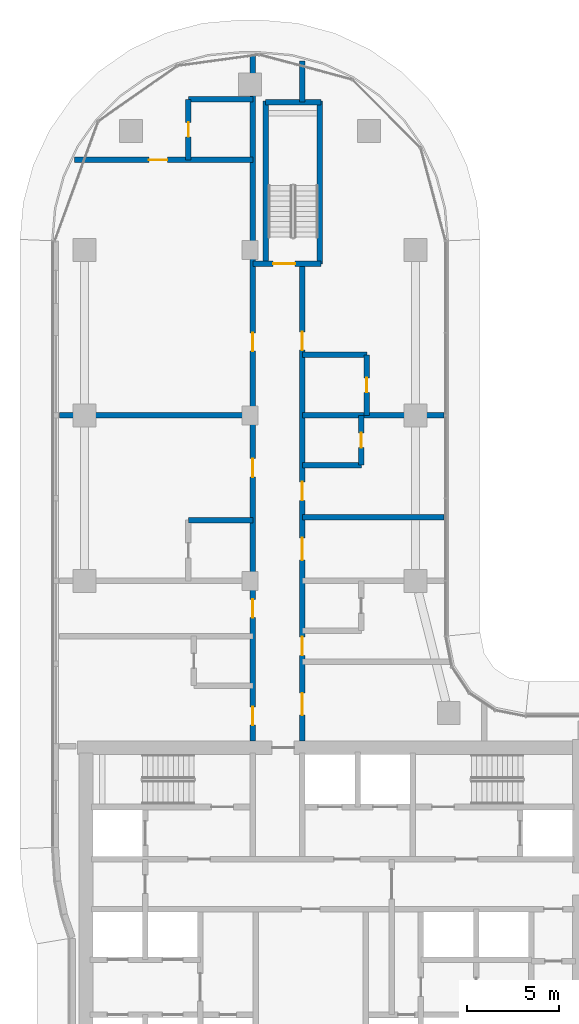
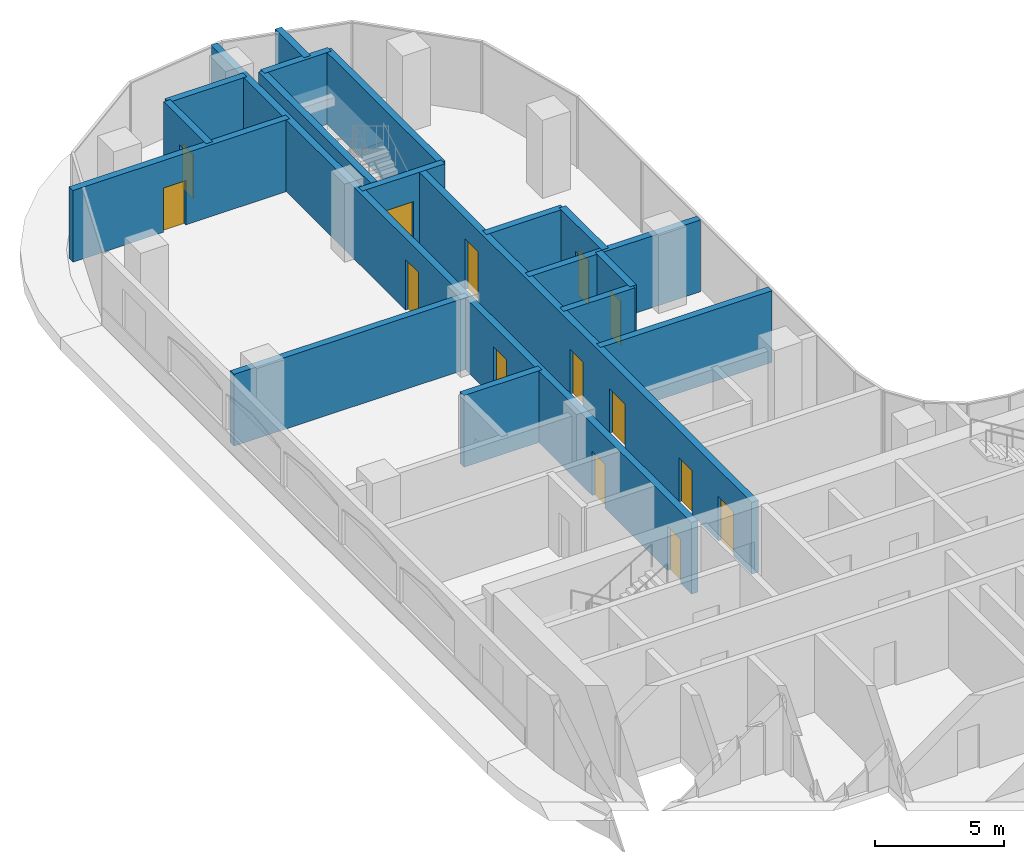
# One storey, part 13 of 25: 18 walls, 14 doors, 14 openings.
"""IFC4 building model written with IfcOpenShell, lengths in metres."""

from ifc_helpers import new_model, si_unit, direction, frame, frame_2d, origin, place, context, subcontext, project, spatial, rectangle, extrude, material, layer, layer_set, type_object, element, fill, save


model = new_model("IFC4")

# Units and contexts
model_context = context("Model", 3, precision=1e-05, world=origin(), true_north=direction((0.0, 1.0)))
body_context = subcontext(model_context, "Body", "Model", "MODEL_VIEW")
ifc_project = project(units=[si_unit("LENGTHUNIT", "METRE"), si_unit("AREAUNIT", "SQUARE_METRE"), si_unit("VOLUMEUNIT", "CUBIC_METRE"), si_unit("PLANEANGLEUNIT", "RADIAN"), si_unit("MASSUNIT", "GRAM", prefix="KILO")], contexts=[model_context])

# Site, building, storey
site_placement = place(None, origin())
site = spatial("IfcSite", under=ifc_project, at=site_placement, CompositionType="ELEMENT")
building_placement = place(site_placement, origin())
building = spatial("IfcBuilding", under=site, at=building_placement, Name="Ogive Portal Towers", CompositionType="ELEMENT")
storey_placement = place(building_placement, frame((0.0, 0.0, 124.10009765625)))
storey = spatial("IfcBuildingStorey", under=building, at=storey_placement, Name="L30", CompositionType="ELEMENT", Elevation=124.10009765625)

# Wall, opening, door
ifc_material_1 = material(Name="Concrete C50/60", Category="concrete")
ifc_layer_1 = layer(ifc_material_1, 0.300048828125)
ifc_layer_set_1 = layer_set([ifc_layer_1], Name="STAIR WALL 300 C50")
wall_type_1 = type_object("IfcWallType", Name="STAIR WALL 300 C50", PredefinedType="SHEAR", material=ifc_layer_set_1)
wall_1_placement = place(storey_placement, frame((40.64990234375, 65.75, 0.0), z_axis=(0.0, 0.0, 1.0), x_axis=(1.0, 0.0, 0.0)))
wall_1 = element("IfcWall", 1, at=wall_1_placement, inside=storey, type_object=wall_type_1, Name="Stair wall ST-A3 L30", PredefinedType="SHEAR", context=body_context, shape_type="SweptSolid", body=[
    extrude(rectangle(XDim=3.7001953125, YDim=0.300048828125, at=frame_2d((1.85009765625, 0.0))), origin(), (0.0, 0.0, 1.0), 3.39990234375),
])
opening_1_placement = place(wall_1_placement, frame((1.10009765625, 0.0, 0.0)))
opening_1 = element("IfcOpeningElement", 2, at=opening_1_placement, cuts=wall_1, Name="Opening D11-065", PredefinedType="OPENING", context=body_context, shape_type="SweptSolid", body=[
    extrude(rectangle(XDim=1.199951171875, YDim=2.10009765625, at=frame_2d((0.60009765625, 1.050048828125))), frame((0.0, 0.16015625, 0.0), z_axis=(0.0, -1.0, 0.0), x_axis=(1.0, 0.0, 0.0)), (0.0, 0.0, 1.0), 0.320068359375),
])
ifc_material_2 = material(Name="Steel fire door", Category="steel")
door_type_1 = type_object("IfcDoorType", Name="DT-STAIR-1200x2100-FD90S", OperationType="SINGLE_SWING_LEFT", PredefinedType="DOOR", material=ifc_material_2)
door_1_placement = place(opening_1_placement, origin())
door_1 = element("IfcDoor", 3, at=door_1_placement, inside=storey, type_object=door_type_1, Name="Door D11-065", OperationType="SINGLE_SWING_RIGHT", OverallHeight=2.10009765625, OverallWidth=1.199951171875, PredefinedType="DOOR", context=body_context, shape_type="SweptSolid", body=[
    extrude(rectangle(XDim=1.199951171875, YDim=2.10009765625, at=frame_2d((0.60009765625, 1.050048828125))), frame((0.0, 0.02490234375, 0.0), z_axis=(0.0, -1.0, 0.0), x_axis=(1.0, 0.0, 0.0)), (0.0, 0.0, 1.0), 0.050048828125),
])
fill(opening_1, door_1)

# Walls
wall_2_placement = place(storey_placement, frame((41.35009765625, 74.550048828125, 0.0), z_axis=(0.0, 0.0, 1.0), x_axis=(1.0, 0.0, 0.0)))
element("IfcWall", 4, at=wall_2_placement, inside=storey, type_object=wall_type_1, Name="Stair wall ST-A3 L30", PredefinedType="SHEAR", context=body_context, shape_type="SweptSolid", body=[
    extrude(rectangle(XDim=3.0, YDim=0.300048828125, at=frame_2d((1.5, 0.0))), origin(), (0.0, 0.0, 1.0), 3.39990234375),
])
for number, where, z_axis, x_axis, name in (
    (5, (41.35009765625, 65.75, 0.0), (0.0, 0.0, 1.0), (0.0, 1.0, 0.0), "Stair wall ST-A3 L30"),
    (6, (44.300048828125, 65.75, 0.0), (0.0, 0.0, 1.0), (0.0, 1.0, 0.0), "Stair wall ST-A3 L30"),
):
    element("IfcWall", number, at=place(storey_placement, frame(where, z_axis=z_axis, x_axis=x_axis)), inside=storey, type_object=wall_type_1, Name=name, PredefinedType="SHEAR", context=body_context, shape_type="SweptSolid", body=[
        extrude(rectangle(XDim=8.85009765625, YDim=0.300048828125, at=frame_2d((4.425048828125, 0.0))), origin(), (0.0, 0.0, 1.0), 3.39990234375),
    ])
ifc_material_3 = material(Name="Gypsum board partition on steel studs", Category="steel")
ifc_layer_2 = layer(ifc_material_3, 0.300048828125)
ifc_layer_set_2 = layer_set([ifc_layer_2], Name="WT-PART-300-EI 60")
wall_type_2 = type_object("IfcWallType", Name="WT-PART-300-EI 60", PredefinedType="PARTITIONING", material=ifc_layer_set_2)
wall_3_placement = place(storey_placement, frame((37.14990234375, 51.800048828125, 0.0), z_axis=(0.0, 0.0, 1.0), x_axis=(1.0, 0.0, 0.0)))
element("IfcWall", 7, at=wall_3_placement, inside=storey, type_object=wall_type_2, Name="Wall L30:w022", PredefinedType="PARTITIONING", context=body_context, shape_type="SweptSolid", body=[
    extrude(rectangle(XDim=3.5, YDim=0.300048828125, at=frame_2d((1.75, 0.0))), origin(), (0.0, 0.0, 1.0), 3.39990234375),
])
wall_4_placement = place(storey_placement, frame((43.35009765625, 51.969970703125, 0.0), z_axis=(0.0, 0.0, 1.0), x_axis=(1.0, 0.0, 0.0)))
element("IfcWall", 8, at=wall_4_placement, inside=storey, type_object=wall_type_2, Name="Wall L30:w023", PredefinedType="PARTITIONING", context=body_context, shape_type="SweptSolid", body=[
    extrude(rectangle(XDim=7.69482421875, YDim=0.300048828125, at=frame_2d((3.847412109375, 0.0))), origin(), (0.0, 0.0, 1.0), 3.39990234375),
])
wall_5_placement = place(storey_placement, frame((43.35009765625, 54.800048828125, 0.0), z_axis=(0.0, 0.0, 1.0), x_axis=(1.0, 0.0, 0.0)))
element("IfcWall", 9, at=wall_5_placement, inside=storey, type_object=wall_type_2, Name="Wall L30:w024", PredefinedType="PARTITIONING", context=body_context, shape_type="SweptSolid", body=[
    extrude(rectangle(XDim=3.199951171875, YDim=0.300048828125, at=frame_2d((1.60009765625, 0.0))), origin(), (0.0, 0.0, 1.0), 3.39990234375),
])
wall_6_placement = place(storey_placement, frame((30.135009765625, 57.5, 0.0), z_axis=(0.0, 0.0, 1.0), x_axis=(1.0, 0.0, 0.0)))
element("IfcWall", 10, at=wall_6_placement, inside=storey, type_object=wall_type_2, Name="Wall L30:w025", PredefinedType="PARTITIONING", context=body_context, shape_type="SweptSolid", body=[
    extrude(rectangle(XDim=10.514892578125, YDim=0.300048828125, at=frame_2d((5.25732421875, 0.0))), origin(), (0.0, 0.0, 1.0), 3.39990234375),
])
wall_7_placement = place(storey_placement, frame((43.35009765625, 57.5, 0.0), z_axis=(0.0, 0.0, 1.0), x_axis=(1.0, 0.0, 0.0)))
element("IfcWall", 11, at=wall_7_placement, inside=storey, type_object=wall_type_2, Name="Wall L30:w026", PredefinedType="PARTITIONING", context=body_context, shape_type="SweptSolid", body=[
    extrude(rectangle(XDim=7.69482421875, YDim=0.300048828125, at=frame_2d((3.847412109375, 0.0))), origin(), (0.0, 0.0, 1.0), 3.39990234375),
])
wall_8_placement = place(storey_placement, frame((43.35009765625, 60.800048828125, 0.0), z_axis=(0.0, 0.0, 1.0), x_axis=(1.0, 0.0, 0.0)))
element("IfcWall", 12, at=wall_8_placement, inside=storey, type_object=wall_type_2, Name="Wall L30:w027", PredefinedType="PARTITIONING", context=body_context, shape_type="SweptSolid", body=[
    extrude(rectangle(XDim=3.5, YDim=0.300048828125, at=frame_2d((1.75, 0.0))), origin(), (0.0, 0.0, 1.0), 3.39990234375),
])

# Wall, opening, door
wall_9_placement = place(storey_placement, frame((30.944091796875, 71.39990234375, 0.0), z_axis=(0.0, 0.0, 1.0), x_axis=(1.0, 0.0, 0.0)))
wall_9 = element("IfcWall", 13, at=wall_9_placement, inside=storey, type_object=wall_type_2, Name="Wall L30:w029", PredefinedType="PARTITIONING", context=body_context, shape_type="SweptSolid", body=[
    extrude(rectangle(XDim=9.705810546875, YDim=0.300048828125, at=frame_2d((4.85302734375, 0.0))), origin(), (0.0, 0.0, 1.0), 3.39990234375),
])
opening_2_placement = place(wall_9_placement, frame((4.055908203125, 0.0, 0.0)))
opening_2 = element("IfcOpeningElement", 14, at=opening_2_placement, cuts=wall_9, Name="Opening D11-059", PredefinedType="OPENING", context=body_context, shape_type="SweptSolid", body=[
    extrude(rectangle(XDim=1.0, YDim=2.10009765625, at=frame_2d((0.5, 1.050048828125))), frame((0.0, 0.16015625, 0.0), z_axis=(0.0, -1.0, 0.0), x_axis=(1.0, 0.0, 0.0)), (0.0, 0.0, 1.0), 0.320068359375),
])
door_type_2 = type_object("IfcDoorType", Name="DT-ENTRY-1000x2100-FD60S", OperationType="SINGLE_SWING_LEFT", PredefinedType="DOOR", material=ifc_material_2)
door_2_placement = place(opening_2_placement, origin())
door_2 = element("IfcDoor", 15, at=door_2_placement, inside=storey, type_object=door_type_2, Name="Door D11-059", OperationType="SINGLE_SWING_RIGHT", OverallHeight=2.10009765625, OverallWidth=1.0, PredefinedType="DOOR", context=body_context, shape_type="SweptSolid", body=[
    extrude(rectangle(XDim=1.0, YDim=2.10009765625, at=frame_2d((0.5, 1.050048828125))), frame((0.0, 0.02490234375, 0.0), z_axis=(0.0, -1.0, 0.0), x_axis=(1.0, 0.0, 0.0)), (0.0, 0.0, 1.0), 0.050048828125),
])
fill(opening_2, door_2)

# Wall
wall_10_placement = place(storey_placement, frame((37.14990234375, 74.699951171875, 0.0), z_axis=(0.0, 0.0, 1.0), x_axis=(1.0, 0.0, 0.0)))
element("IfcWall", 16, at=wall_10_placement, inside=storey, type_object=wall_type_2, Name="Wall L30:w031", PredefinedType="PARTITIONING", context=body_context, shape_type="SweptSolid", body=[
    extrude(rectangle(XDim=3.5, YDim=0.300048828125, at=frame_2d((1.75, 0.0))), origin(), (0.0, 0.0, 1.0), 3.39990234375),
])

# Wall, opening, door
wall_11_placement = place(storey_placement, frame((37.14990234375, 71.39990234375, 0.0), z_axis=(0.0, 0.0, 1.0), x_axis=(0.0, 1.0, 0.0)))
wall_11 = element("IfcWall", 17, at=wall_11_placement, inside=storey, type_object=wall_type_2, Name="Wall L30:w033", PredefinedType="PARTITIONING", context=body_context, shape_type="SweptSolid", body=[
    extrude(rectangle(XDim=3.300048828125, YDim=0.300048828125, at=frame_2d((1.64990234375, 0.0))), origin(), (0.0, 0.0, 1.0), 3.39990234375),
])
opening_3_placement = place(wall_11_placement, frame((1.25, 0.0, 0.0)))
opening_3 = element("IfcOpeningElement", 18, at=opening_3_placement, cuts=wall_11, Name="Opening D11-060", PredefinedType="OPENING", context=body_context, shape_type="SweptSolid", body=[
    extrude(rectangle(XDim=0.800048828125, YDim=2.10009765625, at=frame_2d((0.39990234375, 1.050048828125))), frame((0.0, 0.16015625, 0.0), z_axis=(0.0, -1.0, 0.0), x_axis=(1.0, 0.0, 0.0)), (0.0, 0.0, 1.0), 0.320068359375),
])
door_type_3 = type_object("IfcDoorType", Name="DT-BATH-800x2100-FD60S", OperationType="SINGLE_SWING_LEFT", PredefinedType="DOOR", material=ifc_material_2)
door_3_placement = place(opening_3_placement, origin())
door_3 = element("IfcDoor", 19, at=door_3_placement, inside=storey, type_object=door_type_3, Name="Door D11-060", OperationType="SINGLE_SWING_LEFT", OverallHeight=2.10009765625, OverallWidth=0.800048828125, PredefinedType="DOOR", context=body_context, shape_type="SweptSolid", body=[
    extrude(rectangle(XDim=0.800048828125, YDim=2.10009765625, at=frame_2d((0.39990234375, 1.050048828125))), frame((0.0, 0.02490234375, 0.0), z_axis=(0.0, -1.0, 0.0), x_axis=(1.0, 0.0, 0.0)), (0.0, 0.0, 1.0), 0.050048828125),
])
fill(opening_3, door_3)

# Wall, openings, doors
wall_12_placement = place(storey_placement, frame((40.64990234375, 39.800048828125, 0.0), z_axis=(0.0, 0.0, 1.0), x_axis=(0.0, 1.0, 0.0)))
wall_12 = element("IfcWall", 20, at=wall_12_placement, inside=storey, type_object=wall_type_2, Name="Wall L30:w035", PredefinedType="PARTITIONING", context=body_context, shape_type="SweptSolid", body=[
    extrude(rectangle(XDim=37.304931640625, YDim=0.300048828125, at=frame_2d((18.65234375, 0.0))), origin(), (0.0, 0.0, 1.0), 3.39990234375),
])
opening_4_placement = place(wall_12_placement, frame((0.85009765625, 0.0, 0.0)))
opening_4 = element("IfcOpeningElement", 21, at=opening_4_placement, cuts=wall_12, Name="Opening D11-049", PredefinedType="OPENING", context=body_context, shape_type="SweptSolid", body=[
    extrude(rectangle(XDim=1.0, YDim=2.10009765625, at=frame_2d((0.5, 1.050048828125))), frame((0.0, 0.16015625, 0.0), z_axis=(0.0, -1.0, 0.0), x_axis=(1.0, 0.0, 0.0)), (0.0, 0.0, 1.0), 0.320068359375),
])
opening_5_placement = place(wall_12_placement, frame((6.699951171875, 0.0, 0.0)))
opening_5 = element("IfcOpeningElement", 22, at=opening_5_placement, cuts=wall_12, Name="Opening D11-050", PredefinedType="OPENING", context=body_context, shape_type="SweptSolid", body=[
    extrude(rectangle(XDim=1.0, YDim=2.10009765625, at=frame_2d((0.5, 1.050048828125))), frame((0.0, 0.16015625, 0.0), z_axis=(0.0, -1.0, 0.0), x_axis=(1.0, 0.0, 0.0)), (0.0, 0.0, 1.0), 0.320068359375),
])
opening_6_placement = place(wall_12_placement, frame((14.35009765625, 0.0, 0.0)))
opening_6 = element("IfcOpeningElement", 23, at=opening_6_placement, cuts=wall_12, Name="Opening D11-055", PredefinedType="OPENING", context=body_context, shape_type="SweptSolid", body=[
    extrude(rectangle(XDim=1.0, YDim=2.39990234375, at=frame_2d((0.5, 1.199951171875))), frame((0.0, 0.16015625, 0.0), z_axis=(0.0, -1.0, 0.0), x_axis=(1.0, 0.0, 0.0)), (0.0, 0.0, 1.0), 0.320068359375),
])
opening_7_placement = place(wall_12_placement, frame((21.199951171875, 0.0, 0.0)))
opening_7 = element("IfcOpeningElement", 24, at=opening_7_placement, cuts=wall_12, Name="Opening D11-058", PredefinedType="OPENING", context=body_context, shape_type="SweptSolid", body=[
    extrude(rectangle(XDim=1.0, YDim=2.39990234375, at=frame_2d((0.5, 1.199951171875))), frame((0.0, 0.16015625, 0.0), z_axis=(0.0, -1.0, 0.0), x_axis=(1.0, 0.0, 0.0)), (0.0, 0.0, 1.0), 0.320068359375),
])
door_4_placement = place(opening_4_placement, origin())
door_4 = element("IfcDoor", 25, at=door_4_placement, inside=storey, type_object=door_type_2, Name="Door D11-049", OperationType="SINGLE_SWING_LEFT", OverallHeight=2.10009765625, OverallWidth=1.0, PredefinedType="DOOR", context=body_context, shape_type="SweptSolid", body=[
    extrude(rectangle(XDim=1.0, YDim=2.10009765625, at=frame_2d((0.5, 1.050048828125))), frame((0.0, 0.02490234375, 0.0), z_axis=(0.0, -1.0, 0.0), x_axis=(1.0, 0.0, 0.0)), (0.0, 0.0, 1.0), 0.050048828125),
])
fill(opening_4, door_4)
door_5_placement = place(opening_5_placement, origin())
door_5 = element("IfcDoor", 26, at=door_5_placement, inside=storey, type_object=door_type_2, Name="Door D11-050", OperationType="SINGLE_SWING_RIGHT", OverallHeight=2.10009765625, OverallWidth=1.0, PredefinedType="DOOR", context=body_context, shape_type="SweptSolid", body=[
    extrude(rectangle(XDim=1.0, YDim=2.10009765625, at=frame_2d((0.5, 1.050048828125))), frame((0.0, 0.02490234375, 0.0), z_axis=(0.0, -1.0, 0.0), x_axis=(1.0, 0.0, 0.0)), (0.0, 0.0, 1.0), 0.050048828125),
])
fill(opening_5, door_5)
door_type_4 = type_object("IfcDoorType", Name="DT-ENTRY-1000x2400-FD60S", OperationType="SINGLE_SWING_LEFT", PredefinedType="DOOR", material=ifc_material_2)
door_6_placement = place(opening_6_placement, origin())
door_6 = element("IfcDoor", 27, at=door_6_placement, inside=storey, type_object=door_type_4, Name="Door D11-055", OperationType="SINGLE_SWING_LEFT", OverallHeight=2.39990234375, OverallWidth=1.0, PredefinedType="DOOR", context=body_context, shape_type="SweptSolid", body=[
    extrude(rectangle(XDim=1.0, YDim=2.39990234375, at=frame_2d((0.5, 1.199951171875))), frame((0.0, 0.02490234375, 0.0), z_axis=(0.0, -1.0, 0.0), x_axis=(1.0, 0.0, 0.0)), (0.0, 0.0, 1.0), 0.050048828125),
])
fill(opening_6, door_6)
door_7_placement = place(opening_7_placement, origin())
door_7 = element("IfcDoor", 28, at=door_7_placement, inside=storey, type_object=door_type_4, Name="Door D11-058", OperationType="SINGLE_SWING_LEFT", OverallHeight=2.39990234375, OverallWidth=1.0, PredefinedType="DOOR", context=body_context, shape_type="SweptSolid", body=[
    extrude(rectangle(XDim=1.0, YDim=2.39990234375, at=frame_2d((0.5, 1.199951171875))), frame((0.0, 0.02490234375, 0.0), z_axis=(0.0, -1.0, 0.0), x_axis=(1.0, 0.0, 0.0)), (0.0, 0.0, 1.0), 0.050048828125),
])
fill(opening_7, door_7)

# Wall, opening, door
wall_13_placement = place(storey_placement, frame((46.550048828125, 54.800048828125, 0.0), z_axis=(0.0, 0.0, 1.0), x_axis=(0.0, 1.0, 0.0)))
wall_13 = element("IfcWall", 29, at=wall_13_placement, inside=storey, type_object=wall_type_2, Name="Wall L30:w041", PredefinedType="PARTITIONING", context=body_context, shape_type="SweptSolid", body=[
    extrude(rectangle(XDim=2.699951171875, YDim=0.300048828125, at=frame_2d((1.35009765625, 0.0))), origin(), (0.0, 0.0, 1.0), 3.39990234375),
])
opening_8_placement = place(wall_13_placement, frame((0.949951171875, 0.0, 0.0)))
opening_8 = element("IfcOpeningElement", 30, at=opening_8_placement, cuts=wall_13, Name="Opening D11-052", PredefinedType="OPENING", context=body_context, shape_type="SweptSolid", body=[
    extrude(rectangle(XDim=0.800048828125, YDim=2.10009765625, at=frame_2d((0.39990234375, 1.050048828125))), frame((0.0, 0.16015625, 0.0), z_axis=(0.0, -1.0, 0.0), x_axis=(1.0, 0.0, 0.0)), (0.0, 0.0, 1.0), 0.320068359375),
])
door_8_placement = place(opening_8_placement, origin())
door_8 = element("IfcDoor", 31, at=door_8_placement, inside=storey, type_object=door_type_3, Name="Door D11-052", OperationType="SINGLE_SWING_RIGHT", OverallHeight=2.10009765625, OverallWidth=0.800048828125, PredefinedType="DOOR", context=body_context, shape_type="SweptSolid", body=[
    extrude(rectangle(XDim=0.800048828125, YDim=2.10009765625, at=frame_2d((0.39990234375, 1.050048828125))), frame((0.0, 0.02490234375, 0.0), z_axis=(0.0, -1.0, 0.0), x_axis=(1.0, 0.0, 0.0)), (0.0, 0.0, 1.0), 0.050048828125),
])
fill(opening_8, door_8)

wall_14_placement = place(storey_placement, frame((46.85009765625, 57.5, 0.0), z_axis=(0.0, 0.0, 1.0), x_axis=(0.0, 1.0, 0.0)))
wall_14 = element("IfcWall", 32, at=wall_14_placement, inside=storey, type_object=wall_type_2, Name="Wall L30:w042", PredefinedType="PARTITIONING", context=body_context, shape_type="SweptSolid", body=[
    extrude(rectangle(XDim=3.300048828125, YDim=0.300048828125, at=frame_2d((1.64990234375, 0.0))), origin(), (0.0, 0.0, 1.0), 3.39990234375),
])
opening_9_placement = place(wall_14_placement, frame((1.25, 0.0, 0.0)))
opening_9 = element("IfcOpeningElement", 33, at=opening_9_placement, cuts=wall_14, Name="Opening D11-056", PredefinedType="OPENING", context=body_context, shape_type="SweptSolid", body=[
    extrude(rectangle(XDim=0.800048828125, YDim=2.10009765625, at=frame_2d((0.39990234375, 1.050048828125))), frame((0.0, 0.16015625, 0.0), z_axis=(0.0, -1.0, 0.0), x_axis=(1.0, 0.0, 0.0)), (0.0, 0.0, 1.0), 0.320068359375),
])
door_9_placement = place(opening_9_placement, origin())
door_9 = element("IfcDoor", 34, at=door_9_placement, inside=storey, type_object=door_type_3, Name="Door D11-056", OperationType="SINGLE_SWING_LEFT", OverallHeight=2.10009765625, OverallWidth=0.800048828125, PredefinedType="DOOR", context=body_context, shape_type="SweptSolid", body=[
    extrude(rectangle(XDim=0.800048828125, YDim=2.10009765625, at=frame_2d((0.39990234375, 1.050048828125))), frame((0.0, 0.02490234375, 0.0), z_axis=(0.0, -1.0, 0.0), x_axis=(1.0, 0.0, 0.0)), (0.0, 0.0, 1.0), 0.050048828125),
])
fill(opening_9, door_9)

# Wall, openings, doors
ifc_material_4 = material(Name="Concrete C40/50", Category="concrete")
ifc_layer_3 = layer(ifc_material_4, 0.300048828125)
ifc_layer_set_3 = layer_set([ifc_layer_3], Name="WT-SHAFT-300")
wall_type_3 = type_object("IfcWallType", Name="WT-SHAFT-300", PredefinedType="SOLIDWALL", material=ifc_layer_set_3)
wall_15_placement = place(storey_placement, frame((43.35009765625, 39.800048828125, 0.0), z_axis=(0.0, 0.0, 1.0), x_axis=(0.0, 1.0, 0.0)))
wall_15 = element("IfcWall", 35, at=wall_15_placement, inside=storey, type_object=wall_type_3, Name="Wall L30:w037", PredefinedType="SOLIDWALL", context=body_context, shape_type="SweptSolid", body=[
    extrude(rectangle(XDim=26.0, YDim=0.300048828125, at=frame_2d((13.0, 0.0))), origin(), (0.0, 0.0, 1.0), 3.39990234375),
])
opening_10_placement = place(wall_15_placement, frame((1.39990234375, 0.0, 0.0)))
opening_10 = element("IfcOpeningElement", 36, at=opening_10_placement, cuts=wall_15, Name="Opening D11-045", PredefinedType="OPENING", context=body_context, shape_type="SweptSolid", body=[
    extrude(rectangle(XDim=1.199951171875, YDim=2.10009765625, at=frame_2d((0.60009765625, 1.050048828125))), frame((0.0, 0.16015625, 0.0), z_axis=(0.0, -1.0, 0.0), x_axis=(1.0, 0.0, 0.0)), (0.0, 0.0, 1.0), 0.320068359375),
])
opening_11_placement = place(wall_15_placement, frame((4.64990234375, 0.0, 0.0)))
opening_11 = element("IfcOpeningElement", 37, at=opening_11_placement, cuts=wall_15, Name="Opening D11-047", PredefinedType="OPENING", context=body_context, shape_type="SweptSolid", body=[
    extrude(rectangle(XDim=1.0, YDim=2.10009765625, at=frame_2d((0.5, 1.050048828125))), frame((0.0, 0.16015625, 0.0), z_axis=(0.0, -1.0, 0.0), x_axis=(1.0, 0.0, 0.0)), (0.0, 0.0, 1.0), 0.320068359375),
])
opening_12_placement = place(wall_15_placement, frame((9.8349609375, 0.0, 0.0)))
opening_12 = element("IfcOpeningElement", 38, at=opening_12_placement, cuts=wall_15, Name="Opening D11-051", PredefinedType="OPENING", context=body_context, shape_type="SweptSolid", body=[
    extrude(rectangle(XDim=1.199951171875, YDim=2.10009765625, at=frame_2d((0.60009765625, 1.050048828125))), frame((0.0, 0.16015625, 0.0), z_axis=(0.0, -1.0, 0.0), x_axis=(1.0, 0.0, 0.0)), (0.0, 0.0, 1.0), 0.320068359375),
])
opening_13_placement = place(wall_15_placement, frame((13.0849609375, 0.0, 0.0)))
opening_13 = element("IfcOpeningElement", 39, at=opening_13_placement, cuts=wall_15, Name="Opening D11-053", PredefinedType="OPENING", context=body_context, shape_type="SweptSolid", body=[
    extrude(rectangle(XDim=1.0, YDim=2.10009765625, at=frame_2d((0.5, 1.050048828125))), frame((0.0, 0.16015625, 0.0), z_axis=(0.0, -1.0, 0.0), x_axis=(1.0, 0.0, 0.0)), (0.0, 0.0, 1.0), 0.320068359375),
])
opening_14_placement = place(wall_15_placement, frame((21.25, 0.0, 0.0)))
opening_14 = element("IfcOpeningElement", 40, at=opening_14_placement, cuts=wall_15, Name="Opening D11-057", PredefinedType="OPENING", context=body_context, shape_type="SweptSolid", body=[
    extrude(rectangle(XDim=1.0, YDim=2.39990234375, at=frame_2d((0.5, 1.199951171875))), frame((0.0, 0.16015625, 0.0), z_axis=(0.0, -1.0, 0.0), x_axis=(1.0, 0.0, 0.0)), (0.0, 0.0, 1.0), 0.320068359375),
])
door_type_5 = type_object("IfcDoorType", Name="DT-ENTRY-1000x2100-FD90S", OperationType="SINGLE_SWING_LEFT", PredefinedType="DOOR", material=ifc_material_2)
door_10_placement = place(opening_11_placement, origin())
door_10 = element("IfcDoor", 41, at=door_10_placement, inside=storey, type_object=door_type_5, Name="Door D11-047", OperationType="SINGLE_SWING_LEFT", OverallHeight=2.10009765625, OverallWidth=1.0, PredefinedType="DOOR", context=body_context, shape_type="SweptSolid", body=[
    extrude(rectangle(XDim=1.0, YDim=2.10009765625, at=frame_2d((0.5, 1.050048828125))), frame((0.0, 0.02490234375, 0.0), z_axis=(0.0, -1.0, 0.0), x_axis=(1.0, 0.0, 0.0)), (0.0, 0.0, 1.0), 0.050048828125),
])
fill(opening_11, door_10)
door_11_placement = place(opening_13_placement, origin())
door_11 = element("IfcDoor", 42, at=door_11_placement, inside=storey, type_object=door_type_5, Name="Door D11-053", OperationType="SINGLE_SWING_LEFT", OverallHeight=2.10009765625, OverallWidth=1.0, PredefinedType="DOOR", context=body_context, shape_type="SweptSolid", body=[
    extrude(rectangle(XDim=1.0, YDim=2.10009765625, at=frame_2d((0.5, 1.050048828125))), frame((0.0, 0.02490234375, 0.0), z_axis=(0.0, -1.0, 0.0), x_axis=(1.0, 0.0, 0.0)), (0.0, 0.0, 1.0), 0.050048828125),
])
fill(opening_13, door_11)
door_type_6 = type_object("IfcDoorType", Name="DT-ENTRY-1000x2400-FD90S", OperationType="SINGLE_SWING_LEFT", PredefinedType="DOOR", material=ifc_material_2)
door_12_placement = place(opening_14_placement, origin())
door_12 = element("IfcDoor", 43, at=door_12_placement, inside=storey, type_object=door_type_6, Name="Door D11-057", OperationType="SINGLE_SWING_RIGHT", OverallHeight=2.39990234375, OverallWidth=1.0, PredefinedType="DOOR", context=body_context, shape_type="SweptSolid", body=[
    extrude(rectangle(XDim=1.0, YDim=2.39990234375, at=frame_2d((0.5, 1.199951171875))), frame((0.0, 0.02490234375, 0.0), z_axis=(0.0, -1.0, 0.0), x_axis=(1.0, 0.0, 0.0)), (0.0, 0.0, 1.0), 0.050048828125),
])
fill(opening_14, door_12)
door_type_7 = type_object("IfcDoorType", Name="DT-ENTRY-1200x2100-FD90S", OperationType="SINGLE_SWING_LEFT", PredefinedType="DOOR", material=ifc_material_2)
door_13_placement = place(opening_10_placement, origin())
door_13 = element("IfcDoor", 44, at=door_13_placement, inside=storey, type_object=door_type_7, Name="Door D11-045", OperationType="SINGLE_SWING_LEFT", OverallHeight=2.10009765625, OverallWidth=1.199951171875, PredefinedType="DOOR", context=body_context, shape_type="SweptSolid", body=[
    extrude(rectangle(XDim=1.199951171875, YDim=2.10009765625, at=frame_2d((0.60009765625, 1.050048828125))), frame((0.0, 0.02490234375, 0.0), z_axis=(0.0, -1.0, 0.0), x_axis=(1.0, 0.0, 0.0)), (0.0, 0.0, 1.0), 0.050048828125),
])
fill(opening_10, door_13)
door_14_placement = place(opening_12_placement, origin())
door_14 = element("IfcDoor", 45, at=door_14_placement, inside=storey, type_object=door_type_7, Name="Door D11-051", OperationType="SINGLE_SWING_LEFT", OverallHeight=2.10009765625, OverallWidth=1.199951171875, PredefinedType="DOOR", context=body_context, shape_type="SweptSolid", body=[
    extrude(rectangle(XDim=1.199951171875, YDim=2.10009765625, at=frame_2d((0.60009765625, 1.050048828125))), frame((0.0, 0.02490234375, 0.0), z_axis=(0.0, -1.0, 0.0), x_axis=(1.0, 0.0, 0.0)), (0.0, 0.0, 1.0), 0.050048828125),
])
fill(opening_12, door_14)

# Wall
wall_16_placement = place(storey_placement, frame((43.35009765625, 74.550048828125, 0.0), z_axis=(0.0, 0.0, 1.0), x_axis=(0.0, 1.0, 0.0)))
element("IfcWall", 46, at=wall_16_placement, inside=storey, type_object=wall_type_3, Name="Wall L30:w038", PredefinedType="SOLIDWALL", context=body_context, shape_type="SweptSolid", body=[
    extrude(rectangle(XDim=2.241943359375, YDim=0.300048828125, at=frame_2d((1.12109375, 0.0))), origin(), (0.0, 0.0, 1.0), 3.39990234375),
])

save(model, "model.ifc")
